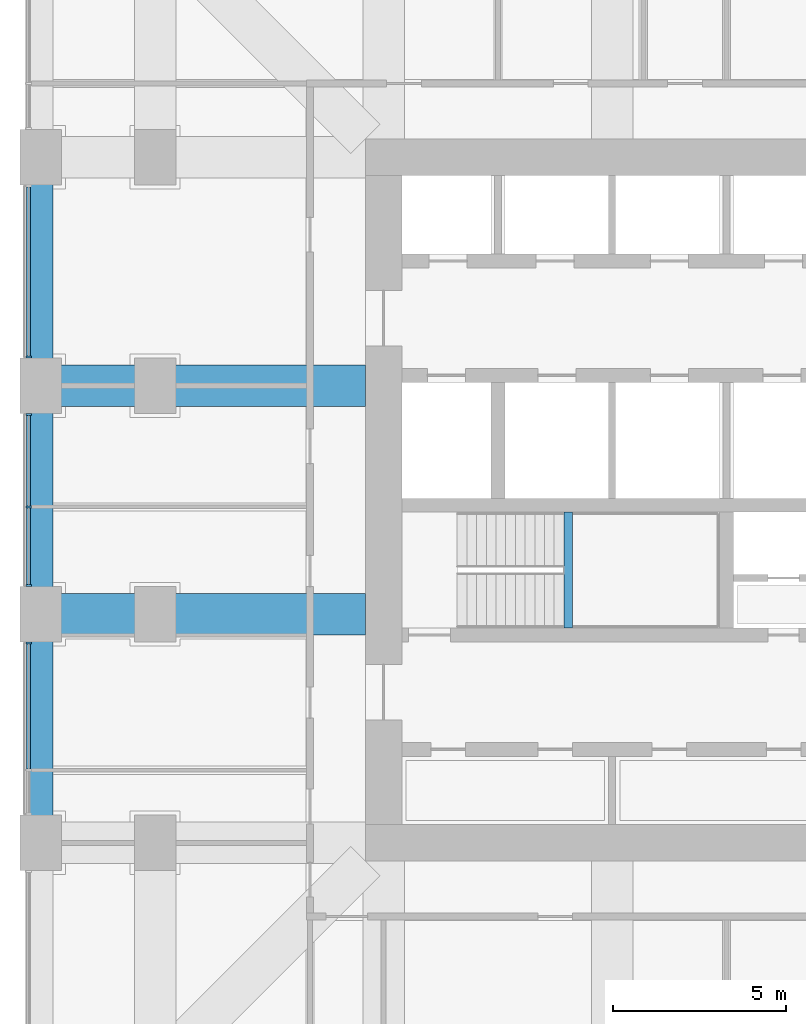
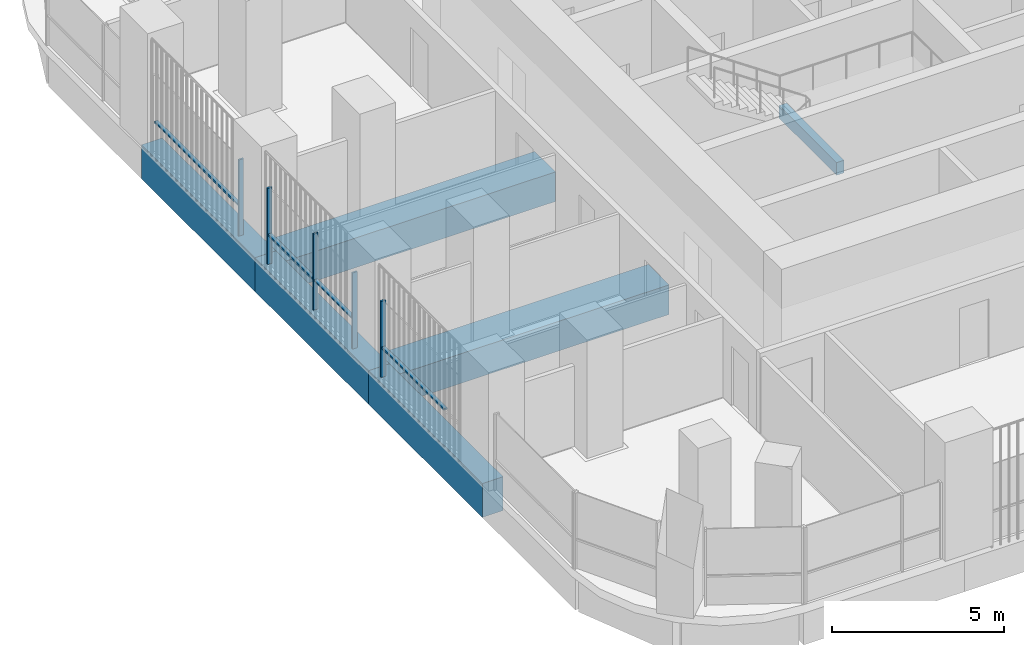
# One storey, part 4 of 20: 9 members, 6 beams, 3 elements without a shape of their own.
"""IFC4 building model written with IfcOpenShell, lengths in metres."""

from ifc_helpers import new_model, si_unit, direction, frame, origin, origin_2d, place, context, subcontext, project, spatial, rectangle, extrude, material, material_profile, profile_set, type_object, element, aggregate, save


model = new_model("IFC4")

# Units and contexts
model_context = context("Model", 3, precision=1e-05, world=origin(), true_north=direction((0.0, 1.0)))
body_context = subcontext(model_context, "Body", "Model", "MODEL_VIEW")
ifc_project = project(units=[si_unit("LENGTHUNIT", "METRE"), si_unit("AREAUNIT", "SQUARE_METRE"), si_unit("VOLUMEUNIT", "CUBIC_METRE"), si_unit("PLANEANGLEUNIT", "RADIAN"), si_unit("MASSUNIT", "GRAM", prefix="KILO")], contexts=[model_context])

# Site, building, storey
site_placement = place(None, origin())
site = spatial("IfcSite", under=ifc_project, at=site_placement, CompositionType="ELEMENT")
building_placement = place(site_placement, origin())
building = spatial("IfcBuilding", under=site, at=building_placement, Name="Cobogo Forest Laboratory Tower", CompositionType="ELEMENT")
storey_placement = place(building_placement, frame((0.0, 0.0, 180.89990234375)))
storey = spatial("IfcBuildingStorey", under=building, at=storey_placement, Name="L41", CompositionType="ELEMENT", Elevation=180.89990234375)

# Beams
ifc_material_1 = material(Name="Concrete HA-40 (C40/50)", Category="concrete")
ifc_material_profile_1 = material_profile(ifc_material_1, rectangle(XDim=0.25, YDim=0.449951171875, at=origin_2d()), Name="RC 250x450")
ifc_profile_set_1 = profile_set([ifc_material_profile_1], Name="Concrete HA-40 (C40/50)")
beam_type_1 = type_object("IfcBeamType", Name="LB1 landing beam 250x450", PredefinedType="BEAM", material=ifc_profile_set_1)
beam_1_placement = place(storey_placement, frame((18.530029296875, 19.39990234375, 1.675048828125), z_axis=(0.0, 1.0, 0.0), x_axis=(-1.0, 0.0, 0.0)))
element("IfcBeam", 1, at=beam_1_placement, inside=storey, type_object=beam_type_1, Name="Landing beam ST1 L41", PredefinedType="BEAM", context=body_context, shape_type="SweptSolid", body=[
    extrude(rectangle(XDim=0.25, YDim=0.449951171875, at=origin_2d()), origin(), (0.0, 0.0, 1.0), 3.35009765625),
])
ifc_material_profile_2 = material_profile(ifc_material_1, rectangle(XDim=1.199951171875, YDim=1.050048828125, at=origin_2d()), Name="RC 1200x1050")
ifc_profile_set_2 = profile_set([ifc_material_profile_2], Name="Concrete HA-40 (C40/50)")
beam_type_2 = type_object("IfcBeamType", Name="Laboratory floor wide beam 1200x1050", PredefinedType="BEAM", material=ifc_profile_set_2)
for number, where, z_axis, x_axis, name in (
    (2, (12.675048828125, 19.800048828125, -0.824951171875), (-1.0, 0.0, 0.0), (0.0, -1.0, 0.0), "RB1 R-D-W L41"),
    (3, (12.675048828125, 26.39990234375, -0.824951171875), (-1.0, 0.0, 0.0), (0.0, -1.0, 0.0), "RB1 R-E-W L41"),
):
    element("IfcBeam", number, at=place(storey_placement, frame(where, z_axis=z_axis, x_axis=x_axis)), inside=storey, type_object=beam_type_2, Name=name, PredefinedType="BEAM", context=body_context, shape_type="SweptSolid", body=[
        extrude(rectangle(XDim=1.199951171875, YDim=1.050048828125, at=origin_2d()), origin(), (0.0, 0.0, 1.0), 9.375),
    ])

# Curtain wall, member
ifc_material_2 = material(Name="Aluminium curtain wall", Category="aluminium")
curtain_wall_type = type_object("IfcCurtainWallType", Name="CW-2 unitised curtain wall, solar control glazing, laboratory floors zones C and D", PredefinedType="USERDEFINED", material=ifc_material_2)
curtain_wall_1_placement = place(storey_placement, origin())
curtain_wall_1 = element("IfcCurtainWall", 4, at=curtain_wall_1_placement, inside=storey, type_object=curtain_wall_type, Name="Curtain wall 25 L41", ObjectType="UNITISED CURTAIN WALL", PredefinedType="USERDEFINED")
ifc_material_3 = material(Name="Aluminium mullion", Category="aluminium")
ifc_material_profile_3 = material_profile(ifc_material_3, rectangle(XDim=0.06005859375, YDim=0.159912109375, at=origin_2d()), Name="AL 60x160")
ifc_profile_set_3 = profile_set([ifc_material_profile_3], Name="Aluminium mullion")
member_type_1 = type_object("IfcMemberType", Name="MU-1 aluminium mullion 60x160", PredefinedType="MULLION", material=ifc_profile_set_3)
member_1_placement = place(storey_placement, frame((2.949951171875, 27.22998046875, 0.0), z_axis=(0.0, 0.0, 1.0), x_axis=(0.0, -1.0, 0.0)))
member_1 = element("IfcMember", 5, at=member_1_placement, type_object=member_type_1, Name="CW-2 mullion 2", PredefinedType="MULLION", context=body_context, shape_type="SweptSolid", body=[
    extrude(rectangle(XDim=0.06005859375, YDim=0.159912109375, at=origin_2d()), origin(), (0.0, 0.0, 1.0), 2.7001953125),
])

# Curtain wall, members
curtain_wall_2_placement = place(storey_placement, origin())
curtain_wall_2 = element("IfcCurtainWall", 6, at=curtain_wall_2_placement, inside=storey, type_object=curtain_wall_type, Name="Curtain wall 26 L41", ObjectType="UNITISED CURTAIN WALL", PredefinedType="USERDEFINED")
member_2_placement = place(storey_placement, frame((2.949951171875, 25.570068359375, 0.0), z_axis=(0.0, 0.0, 1.0), x_axis=(0.0, -1.0, 0.0)))
member_2 = element("IfcMember", 7, at=member_2_placement, type_object=member_type_1, Name="CW-2 mullion 1", PredefinedType="MULLION", context=body_context, shape_type="SweptSolid", body=[
    extrude(rectangle(XDim=0.06005859375, YDim=0.159912109375, at=origin_2d()), origin(), (0.0, 0.0, 1.0), 2.7001953125),
])
member_3_placement = place(storey_placement, frame((2.949951171875, 22.89990234375, 0.0), z_axis=(0.0, 0.0, 1.0), x_axis=(0.0, -1.0, 0.0)))
member_3 = element("IfcMember", 8, at=member_3_placement, type_object=member_type_1, Name="CW-2 mullion 2", PredefinedType="MULLION", context=body_context, shape_type="SweptSolid", body=[
    extrude(rectangle(XDim=0.06005859375, YDim=0.159912109375, at=origin_2d()), origin(), (0.0, 0.0, 1.0), 2.7001953125),
])
member_4_placement = place(storey_placement, frame((2.949951171875, 20.6298828125, 0.0), z_axis=(0.0, 0.0, 1.0), x_axis=(0.0, -1.0, 0.0)))
member_4 = element("IfcMember", 9, at=member_4_placement, type_object=member_type_1, Name="CW-2 mullion 3", PredefinedType="MULLION", context=body_context, shape_type="SweptSolid", body=[
    extrude(rectangle(XDim=0.06005859375, YDim=0.159912109375, at=origin_2d()), origin(), (0.0, 0.0, 1.0), 2.7001953125),
])

# Curtain wall, member
curtain_wall_3_placement = place(storey_placement, origin())
curtain_wall_3 = element("IfcCurtainWall", 10, at=curtain_wall_3_placement, inside=storey, type_object=curtain_wall_type, Name="Curtain wall 27 L41", ObjectType="UNITISED CURTAIN WALL", PredefinedType="USERDEFINED")
member_5_placement = place(storey_placement, frame((2.949951171875, 18.969970703125, 0.0), z_axis=(0.0, 0.0, 1.0), x_axis=(0.0, -1.0, 0.0)))
member_5 = element("IfcMember", 11, at=member_5_placement, type_object=member_type_1, Name="CW-2 mullion 1", PredefinedType="MULLION", context=body_context, shape_type="SweptSolid", body=[
    extrude(rectangle(XDim=0.06005859375, YDim=0.159912109375, at=origin_2d()), origin(), (0.0, 0.0, 1.0), 2.7001953125),
])

# Beams
ifc_material_profile_4 = material_profile(ifc_material_1, rectangle(XDim=0.699951171875, YDim=1.199951171875, at=origin_2d()), Name="RC 700x1200")
ifc_profile_set_4 = profile_set([ifc_material_profile_4], Name="Concrete HA-40 (C40/50)")
beam_type_3 = type_object("IfcBeamType", Name="Perimeter edge beam 700x1200", PredefinedType="BEAM", material=ifc_profile_set_4)
beam_2_placement = place(storey_placement, frame((3.300048828125, 13.199951171875, -0.89990234375), z_axis=(0.0, 1.0, 0.0), x_axis=(-1.0, 0.0, 0.0)))
element("IfcBeam", 12, at=beam_2_placement, inside=storey, type_object=beam_type_3, Name="EB1 E-W1 L41", PredefinedType="BEAM", context=body_context, shape_type="SweptSolid", body=[
    extrude(rectangle(XDim=0.699951171875, YDim=1.199951171875, at=origin_2d()), origin(), (0.0, 0.0, 1.0), 6.60009765625),
])
beam_3_placement = place(storey_placement, frame((3.300048828125, 19.800048828125, -0.89990234375), z_axis=(0.0, 1.0, 0.0), x_axis=(-1.0, 0.0, 0.0)))
element("IfcBeam", 13, at=beam_3_placement, inside=storey, type_object=beam_type_3, Name="EB1 E-W2 L41", PredefinedType="BEAM", context=body_context, shape_type="SweptSolid", body=[
    extrude(rectangle(XDim=0.699951171875, YDim=1.199951171875, at=origin_2d()), origin(), (0.0, 0.0, 1.0), 6.599853515625),
])
beam_4_placement = place(storey_placement, frame((3.300048828125, 26.39990234375, -0.89990234375), z_axis=(0.0, 1.0, 0.0), x_axis=(-1.0, 0.0, 0.0)))
element("IfcBeam", 14, at=beam_4_placement, inside=storey, type_object=beam_type_3, Name="EB1 E-W3 L41", PredefinedType="BEAM", context=body_context, shape_type="SweptSolid", body=[
    extrude(rectangle(XDim=0.699951171875, YDim=1.199951171875, at=origin_2d()), origin(), (0.0, 0.0, 1.0), 6.60009765625),
])

# Member
ifc_material_4 = material(Name="Aluminium transom", Category="aluminium")
ifc_material_profile_5 = material_profile(ifc_material_4, rectangle(XDim=0.1201171875, YDim=0.06005859375, at=origin_2d()), Name="AL 60x120")
ifc_profile_set_5 = profile_set([ifc_material_profile_5], Name="Aluminium transom")
member_type_2 = type_object("IfcMemberType", Name="TR-1 aluminium transom 60x120", PredefinedType="USERDEFINED", material=ifc_profile_set_5)
member_6_placement = place(storey_placement, frame((2.949951171875, 32.139892578125, 1.050048828125), z_axis=(0.0, -1.0, 0.0), x_axis=(1.0, 0.0, 0.0)))
member_6 = element("IfcMember", 15, at=member_6_placement, type_object=member_type_2, Name="CW-2 transom 1.1", ObjectType="TRANSOM", PredefinedType="USERDEFINED", context=body_context, shape_type="SweptSolid", body=[
    extrude(rectangle(XDim=0.1201171875, YDim=0.06005859375, at=origin_2d()), origin(), (0.0, 0.0, 1.0), 4.8798828125),
])

aggregate(curtain_wall_1, [member_1, member_6])

member_7_placement = place(storey_placement, frame((2.949951171875, 25.5400390625, 1.050048828125), z_axis=(0.0, -1.0, 0.0), x_axis=(1.0, 0.0, 0.0)))
member_7 = element("IfcMember", 16, at=member_7_placement, type_object=member_type_2, Name="CW-2 transom 1.1", ObjectType="TRANSOM", PredefinedType="USERDEFINED", context=body_context, shape_type="SweptSolid", body=[
    extrude(rectangle(XDim=0.1201171875, YDim=0.06005859375, at=origin_2d()), origin(), (0.0, 0.0, 1.0), 2.610107421875),
])

member_8_placement = place(storey_placement, frame((2.949951171875, 22.8701171875, 1.050048828125), z_axis=(0.0, -1.0, 0.0), x_axis=(1.0, 0.0, 0.0)))
member_8 = element("IfcMember", 17, at=member_8_placement, type_object=member_type_2, Name="CW-2 transom 2.1", ObjectType="TRANSOM", PredefinedType="USERDEFINED", context=body_context, shape_type="SweptSolid", body=[
    extrude(rectangle(XDim=0.1201171875, YDim=0.06005859375, at=origin_2d()), origin(), (0.0, 0.0, 1.0), 2.210205078125),
])

aggregate(curtain_wall_2, [member_2, member_3, member_4, member_7, member_8])

member_9_placement = place(storey_placement, frame((2.949951171875, 18.93994140625, 1.050048828125), z_axis=(0.0, -1.0, 0.0), x_axis=(1.0, 0.0, 0.0)))
member_9 = element("IfcMember", 18, at=member_9_placement, type_object=member_type_2, Name="CW-2 transom 1.1", ObjectType="TRANSOM", PredefinedType="USERDEFINED", context=body_context, shape_type="SweptSolid", body=[
    extrude(rectangle(XDim=0.1201171875, YDim=0.06005859375, at=origin_2d()), origin(), (0.0, 0.0, 1.0), 3.60986328125),
])

aggregate(curtain_wall_3, [member_5, member_9])

save(model, "model.ifc")
